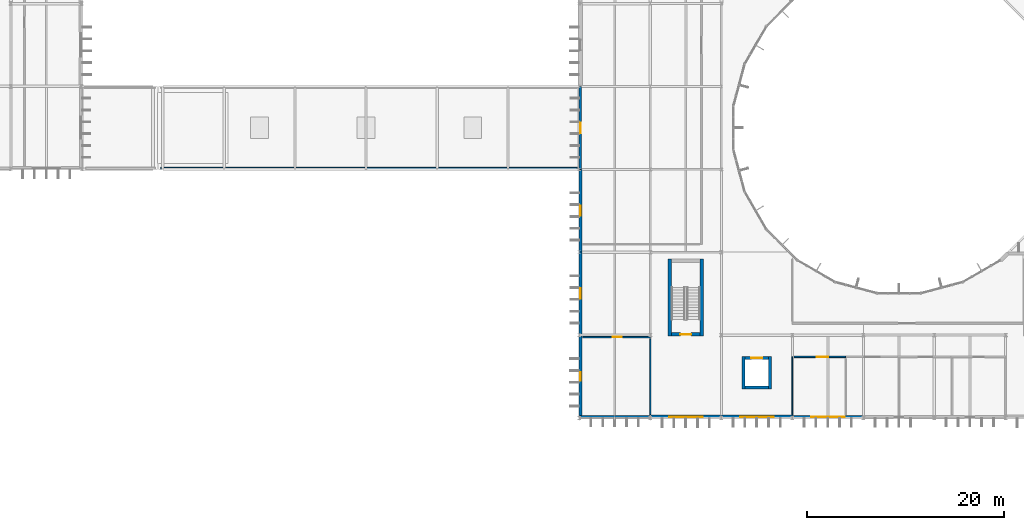
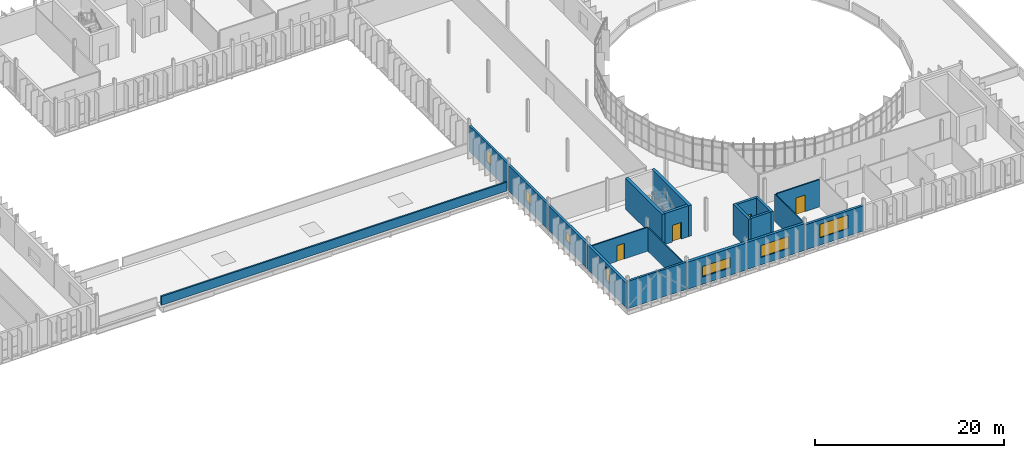
# One storey, part 43 of 61: 20 walls, 7 windows, 4 doors, 11 openings.
"""IFC4 building model written with IfcOpenShell, lengths in metres."""

from ifc_helpers import new_model, si_unit, direction, frame, frame_2d, origin, place, context, subcontext, project, spatial, rectangle, extrude, material, layer, layer_set, type_object, element, fill, save


model = new_model("IFC4")

# Units and contexts
model_context = context("Model", 3, precision=1e-05, world=origin(), true_north=direction((0.0, 1.0)))
body_context = subcontext(model_context, "Body", "Model", "MODEL_VIEW")
ifc_project = project(units=[si_unit("LENGTHUNIT", "METRE"), si_unit("AREAUNIT", "SQUARE_METRE"), si_unit("VOLUMEUNIT", "CUBIC_METRE"), si_unit("PLANEANGLEUNIT", "RADIAN"), si_unit("MASSUNIT", "GRAM", prefix="KILO")], contexts=[model_context])

# Site, building, storey
site_placement = place(None, origin())
site = spatial("IfcSite", under=ifc_project, at=site_placement, CompositionType="ELEMENT")
building_placement = place(site_placement, origin())
building = spatial("IfcBuilding", under=site, at=building_placement, Name="Qelthora Terrace Specialist Clinic", CompositionType="ELEMENT")
storey_placement = place(building_placement, frame((0.0, 0.0, 13.199951171875)))
storey = spatial("IfcBuildingStorey", under=building, at=storey_placement, Name="L03", CompositionType="ELEMENT", Elevation=13.199951171875)

# Walls
ifc_material_1 = material(Name="Concrete C40/50", Category="concrete")
ifc_layer_1 = layer(ifc_material_1, 0.300048828125)
ifc_layer_set_1 = layer_set([ifc_layer_1], Name="Concrete C40/50")
wall_type_1 = type_object("IfcWallType", Name="WAL-CORE-300-C40", PredefinedType="SHEAR", material=ifc_layer_set_1)
for number, where, z_axis, x_axis, name in (
    (1, (110.25, 36.550048828125, 0.0), (0.0, 0.0, 1.0), (0.0, 1.0, 0.0), "Lift PL-01 L03 west shaft wall"),
    (2, (112.949951171875, 36.550048828125, 0.0), (0.0, 0.0, 1.0), (0.0, 1.0, 0.0), "Lift PL-01 L03 east shaft wall"),
):
    element("IfcWall", number, at=place(storey_placement, frame(where, z_axis=z_axis, x_axis=x_axis)), inside=storey, type_object=wall_type_1, Name=name, PredefinedType="SHEAR", context=body_context, shape_type="SweptSolid", body=[
        extrude(rectangle(XDim=3.300048828125, YDim=0.300048828125, at=frame_2d((1.64990234375, 0.0))), origin(), (0.0, 0.0, 1.0), 3.989990234375),
    ])

# Wall, opening, door
wall_1_placement = place(storey_placement, frame((110.39990234375, 39.699951171875, 0.0), z_axis=(0.0, 0.0, 1.0), x_axis=(1.0, 0.0, 0.0)))
wall_1 = element("IfcWall", 3, at=wall_1_placement, inside=storey, type_object=wall_type_1, Name="Lift PL-01 L03 north shaft wall", PredefinedType="SHEAR", context=body_context, shape_type="SweptSolid", body=[
    extrude(rectangle(XDim=2.400146484375, YDim=0.300048828125, at=frame_2d((1.2001953125, 0.0))), origin(), (0.0, 0.0, 1.0), 3.989990234375),
])
opening_1_placement = place(wall_1_placement, frame((0.64990234375, 0.0, 0.0)))
opening_1 = element("IfcOpeningElement", 4, at=opening_1_placement, cuts=wall_1, Name="Opening LD-PL-01-L03", PredefinedType="OPENING", context=body_context, shape_type="SweptSolid", body=[
    extrude(rectangle(XDim=1.10009765625, YDim=2.14990234375, at=frame_2d((0.550048828125, 1.074951171875))), frame((0.0, 0.159912109375, 0.0), z_axis=(0.0, -1.0, 0.0), x_axis=(1.0, 0.0, 0.0)), (0.0, 0.0, 1.0), 0.320068359375),
])
ifc_material_2 = material(Name="Steel S355", Category="steel")
door_type_1 = type_object("IfcDoorType", Name="DOR-LIFT-1100X2150", OperationType="NOTDEFINED", PredefinedType="DOOR", material=ifc_material_2)
door_1_placement = place(opening_1_placement, origin())
door_1 = element("IfcDoor", 5, at=door_1_placement, inside=storey, type_object=door_type_1, Name="Lift landing sliding door LD-PL-01-L03", OperationType="DOUBLE_DOOR_SLIDING", OverallHeight=2.14990234375, OverallWidth=1.10009765625, PredefinedType="DOOR", context=body_context, shape_type="SweptSolid", body=[
    extrude(rectangle(XDim=1.10009765625, YDim=2.14990234375, at=frame_2d((0.550048828125, 1.074951171875))), frame((0.0, 0.02490234375, 0.0), z_axis=(0.0, -1.0, 0.0), x_axis=(1.0, 0.0, 0.0)), (0.0, 0.0, 1.0), 0.050048828125),
])
fill(opening_1, door_1)

# Walls
wall_2_placement = place(storey_placement, frame((110.39990234375, 36.699951171875, 0.0), z_axis=(0.0, 0.0, 1.0), x_axis=(1.0, 0.0, 0.0)))
element("IfcWall", 6, at=wall_2_placement, inside=storey, type_object=wall_type_1, Name="Lift PL-01 L03 south shaft wall", PredefinedType="SHEAR", context=body_context, shape_type="SweptSolid", body=[
    extrude(rectangle(XDim=2.400146484375, YDim=0.300048828125, at=frame_2d((1.2001953125, 0.0))), origin(), (0.0, 0.0, 1.0), 3.989990234375),
])
ifc_layer_2 = layer(ifc_material_1, 0.35009765625)
ifc_layer_set_2 = layer_set([ifc_layer_2], Name="Concrete C40/50")
wall_type_2 = type_object("IfcWallType", Name="WAL-CORE-350-C40", PredefinedType="SHEAR", material=ifc_layer_set_2)
for number, where, z_axis, x_axis, name in (
    (7, (102.77490234375, 41.89990234375, 0.0), (0.0, 0.0, 1.0), (0.0, 1.0, 0.0), "ST-05 L03 west shear core wall"),
    (8, (106.02490234375, 41.89990234375, 0.0), (0.0, 0.0, 1.0), (0.0, 1.0, 0.0), "ST-05 L03 east shear core wall"),
):
    element("IfcWall", number, at=place(storey_placement, frame(where, z_axis=z_axis, x_axis=x_axis)), inside=storey, type_object=wall_type_2, Name=name, PredefinedType="SHEAR", context=body_context, shape_type="SweptSolid", body=[
        extrude(rectangle(XDim=7.800048828125, YDim=0.35009765625, at=frame_2d((3.89990234375, 0.0))), origin(), (0.0, 0.0, 1.0), 3.989990234375),
    ])

# Wall, opening, door
wall_3_placement = place(storey_placement, frame((102.949951171875, 42.074951171875, 0.0), z_axis=(0.0, 0.0, 1.0), x_axis=(1.0, 0.0, 0.0)))
wall_3 = element("IfcWall", 9, at=wall_3_placement, inside=storey, type_object=wall_type_2, Name="ST-05 L03 south shear core wall", PredefinedType="SHEAR", context=body_context, shape_type="SweptSolid", body=[
    extrude(rectangle(XDim=2.900146484375, YDim=0.35009765625, at=frame_2d((1.4501953125, 0.0))), origin(), (0.0, 0.0, 1.0), 3.989990234375),
])
opening_2_placement = place(wall_3_placement, frame((0.89990234375, 0.0, 0.0)))
opening_2 = element("IfcOpeningElement", 10, at=opening_2_placement, cuts=wall_3, Name="Opening D-ST-05-L03", PredefinedType="OPENING", context=body_context, shape_type="SweptSolid", body=[
    extrude(rectangle(XDim=1.10009765625, YDim=2.14990234375, at=frame_2d((0.550048828125, 1.074951171875))), frame((0.0, 0.18505859375, 0.0), z_axis=(0.0, -1.0, 0.0), x_axis=(1.0, 0.0, 0.0)), (0.0, 0.0, 1.0), 0.3701171875),
])
door_type_2 = type_object("IfcDoorType", Name="DOR-STAIR-1100X2150", OperationType="NOTDEFINED", PredefinedType="DOOR", material=ifc_material_2)
door_2_placement = place(opening_2_placement, origin())
door_2 = element("IfcDoor", 11, at=door_2_placement, inside=storey, type_object=door_type_2, Name="Stair fire door D-ST-05-L03", OperationType="SINGLE_SWING_LEFT", OverallHeight=2.14990234375, OverallWidth=1.10009765625, PredefinedType="DOOR", context=body_context, shape_type="SweptSolid", body=[
    extrude(rectangle(XDim=1.10009765625, YDim=2.14990234375, at=frame_2d((0.550048828125, 1.074951171875))), frame((0.0, 0.02490234375, 0.0), z_axis=(0.0, -1.0, 0.0), x_axis=(1.0, 0.0, 0.0)), (0.0, 0.0, 1.0), 0.050048828125),
])
fill(opening_2, door_2)

# Wall
ifc_material_3 = material(Name="Precast concrete C40/50", Category="concrete")
ifc_layer_3 = layer(ifc_material_3, 0.260009765625)
ifc_layer_set_3 = layer_set([ifc_layer_3], Name="Precast concrete C40/50")
wall_type_3 = type_object("IfcWallType", Name="WAL-EXT-260-PC40", PredefinedType="SOLIDWALL", material=ifc_layer_set_3)
wall_4_placement = place(storey_placement, frame((93.60009765625, 33.719970703125, 0.0), z_axis=(0.0, 0.0, 1.0), x_axis=(1.0, 0.0, 0.0)))
element("IfcWall", 12, at=wall_4_placement, inside=storey, type_object=wall_type_3, Name="L03 external precast wall 289", PredefinedType="SOLIDWALL", context=body_context, shape_type="SweptSolid", body=[
    extrude(rectangle(XDim=7.199951171875, YDim=0.260009765625, at=frame_2d((3.60009765625, 0.0))), origin(), (0.0, 0.0, 1.0), 3.529052734375),
])

# Wall, opening, window
wall_5_placement = place(storey_placement, frame((93.719970703125, 58.800048828125, 0.0), z_axis=(0.0, 0.0, 1.0), x_axis=(0.0, 1.0, 0.0)))
wall_5 = element("IfcWall", 13, at=wall_5_placement, inside=storey, type_object=wall_type_3, Name="L03 external precast wall 299", PredefinedType="SOLIDWALL", context=body_context, shape_type="SweptSolid", body=[
    extrude(rectangle(XDim=8.39990234375, YDim=0.260009765625, at=frame_2d((4.199951171875, 0.0))), origin(), (0.0, 0.0, 1.0), 3.324951171875),
])
opening_3_placement = place(wall_5_placement, frame((3.675048828125, 0.0, 0.949951171875)))
opening_3 = element("IfcOpeningElement", 14, at=opening_3_placement, cuts=wall_5, Name="Opening WN-L03-259", PredefinedType="OPENING", context=body_context, shape_type="SweptSolid", body=[
    extrude(rectangle(XDim=1.050048828125, YDim=1.550048828125, at=frame_2d((0.52490234375, 0.77490234375))), frame((0.0, 0.139892578125, 0.0), z_axis=(0.0, -1.0, 0.0), x_axis=(1.0, 0.0, 0.0)), (0.0, 0.0, 1.0), 0.280029296875),
])
ifc_material_4 = material(Name="Low-E triple-silver insulating glass", Category="glass")
window_type_1 = type_object("IfcWindowType", Name="WIN-1050X1550", PartitioningType="SINGLE_PANEL", PredefinedType="WINDOW", material=ifc_material_4)
window_1_placement = place(opening_3_placement, origin())
window_1 = element("IfcWindow", 15, at=window_1_placement, inside=storey, type_object=window_type_1, Name="Clinical window WN-L03-259", OverallHeight=1.550048828125, OverallWidth=1.050048828125, PartitioningType="SINGLE_PANEL", PredefinedType="WINDOW", context=body_context, shape_type="SweptSolid", body=[
    extrude(rectangle(XDim=1.050048828125, YDim=1.550048828125, at=frame_2d((0.52490234375, 0.77490234375))), frame((0.0, 0.030029296875, 0.0), z_axis=(0.0, -1.0, 0.0), x_axis=(1.0, 0.0, 0.0)), (0.0, 0.0, 1.0), 0.06005859375),
])
fill(opening_3, window_1)

ifc_layer_4 = layer(ifc_material_3, 0.280029296875)
ifc_layer_set_4 = layer_set([ifc_layer_4], Name="Precast concrete C40/50")
wall_type_4 = type_object("IfcWallType", Name="WAL-EXT-280-PC40", PredefinedType="SOLIDWALL", material=ifc_layer_set_4)
wall_6_placement = place(storey_placement, frame((93.719970703125, 50.39990234375, 0.0), z_axis=(0.0, 0.0, 1.0), x_axis=(0.0, 1.0, 0.0)))
wall_6 = element("IfcWall", 16, at=wall_6_placement, inside=storey, type_object=wall_type_4, Name="L03 external precast wall 298", PredefinedType="SOLIDWALL", context=body_context, shape_type="SweptSolid", body=[
    extrude(rectangle(XDim=8.400146484375, YDim=0.280029296875, at=frame_2d((4.2001953125, 0.0))), origin(), (0.0, 0.0, 1.0), 3.2490234375),
])
opening_4_placement = place(wall_6_placement, frame((3.675048828125, 0.0, 0.949951171875)))
opening_4 = element("IfcOpeningElement", 17, at=opening_4_placement, cuts=wall_6, Name="Opening WN-L03-258", PredefinedType="OPENING", context=body_context, shape_type="SweptSolid", body=[
    extrude(rectangle(XDim=1.050048828125, YDim=1.35009765625, at=frame_2d((0.52490234375, 0.675048828125))), frame((0.0, 0.14990234375, 0.0), z_axis=(0.0, -1.0, 0.0), x_axis=(1.0, 0.0, 0.0)), (0.0, 0.0, 1.0), 0.300048828125),
])
window_type_2 = type_object("IfcWindowType", Name="WIN-1050X1350", PartitioningType="SINGLE_PANEL", PredefinedType="WINDOW", material=ifc_material_4)
window_2_placement = place(opening_4_placement, origin())
window_2 = element("IfcWindow", 18, at=window_2_placement, inside=storey, type_object=window_type_2, Name="Clinical window WN-L03-258", OverallHeight=1.35009765625, OverallWidth=1.050048828125, PartitioningType="SINGLE_PANEL", PredefinedType="WINDOW", context=body_context, shape_type="SweptSolid", body=[
    extrude(rectangle(XDim=1.050048828125, YDim=1.35009765625, at=frame_2d((0.52490234375, 0.675048828125))), frame((0.0, 0.030029296875, 0.0), z_axis=(0.0, -1.0, 0.0), x_axis=(1.0, 0.0, 0.0)), (0.0, 0.0, 1.0), 0.06005859375),
])
fill(opening_4, window_2)

ifc_layer_5 = layer(ifc_material_3, 0.300048828125)
ifc_layer_set_5 = layer_set([ifc_layer_5], Name="Precast concrete C40/50")
wall_type_5 = type_object("IfcWallType", Name="WAL-EXT-300-PC40", PredefinedType="SOLIDWALL", material=ifc_layer_set_5)
wall_7_placement = place(storey_placement, frame((115.199951171875, 33.719970703125, 0.0), z_axis=(0.0, 0.0, 1.0), x_axis=(1.0, 0.0, 0.0)))
wall_7 = element("IfcWall", 19, at=wall_7_placement, inside=storey, type_object=wall_type_5, Name="L03 external precast wall 292", PredefinedType="SOLIDWALL", context=body_context, shape_type="SweptSolid", body=[
    extrude(rectangle(XDim=7.199951171875, YDim=0.300048828125, at=frame_2d((3.60009765625, 0.0))), origin(), (0.0, 0.0, 1.0), 3.2490234375),
])
opening_5_placement = place(wall_7_placement, frame((1.89990234375, 0.0, 0.949951171875)))
opening_5 = element("IfcOpeningElement", 20, at=opening_5_placement, cuts=wall_7, Name="Opening WN-L03-252", PredefinedType="OPENING", context=body_context, shape_type="SweptSolid", body=[
    extrude(rectangle(XDim=3.39990234375, YDim=1.75, at=frame_2d((1.699951171875, 0.875))), frame((0.0, 0.159912109375, 0.0), z_axis=(0.0, -1.0, 0.0), x_axis=(1.0, 0.0, 0.0)), (0.0, 0.0, 1.0), 0.320068359375),
])
window_type_3 = type_object("IfcWindowType", Name="WIN-3400X1750", PartitioningType="DOUBLE_PANEL_VERTICAL", PredefinedType="WINDOW", material=ifc_material_4)
window_3_placement = place(opening_5_placement, origin())
window_3 = element("IfcWindow", 21, at=window_3_placement, inside=storey, type_object=window_type_3, Name="Clinical window WN-L03-252", OverallHeight=1.75, OverallWidth=3.39990234375, PartitioningType="SINGLE_PANEL", PredefinedType="WINDOW", context=body_context, shape_type="SweptSolid", body=[
    extrude(rectangle(XDim=3.39990234375, YDim=1.75, at=frame_2d((1.699951171875, 0.875))), frame((0.0, 0.030029296875, 0.0), z_axis=(0.0, -1.0, 0.0), x_axis=(1.0, 0.0, 0.0)), (0.0, 0.0, 1.0), 0.06005859375),
])
fill(opening_5, window_3)

wall_8_placement = place(storey_placement, frame((93.719970703125, 42.0, 0.0), z_axis=(0.0, 0.0, 1.0), x_axis=(0.0, 1.0, 0.0)))
wall_8 = element("IfcWall", 22, at=wall_8_placement, inside=storey, type_object=wall_type_5, Name="L03 external precast wall 297", PredefinedType="SOLIDWALL", context=body_context, shape_type="SweptSolid", body=[
    extrude(rectangle(XDim=8.39990234375, YDim=0.300048828125, at=frame_2d((4.199951171875, 0.0))), origin(), (0.0, 0.0, 1.0), 3.172119140625),
])
opening_6_placement = place(wall_8_placement, frame((3.675048828125, 0.0, 0.949951171875)))
opening_6 = element("IfcOpeningElement", 23, at=opening_6_placement, cuts=wall_8, Name="Opening WN-L03-257", PredefinedType="OPENING", context=body_context, shape_type="SweptSolid", body=[
    extrude(rectangle(XDim=1.050048828125, YDim=1.14990234375, at=frame_2d((0.52490234375, 0.574951171875))), frame((0.0, 0.159912109375, 0.0), z_axis=(0.0, -1.0, 0.0), x_axis=(1.0, 0.0, 0.0)), (0.0, 0.0, 1.0), 0.320068359375),
])
window_type_4 = type_object("IfcWindowType", Name="WIN-1050X1150", PartitioningType="SINGLE_PANEL", PredefinedType="WINDOW", material=ifc_material_4)
window_4_placement = place(opening_6_placement, origin())
window_4 = element("IfcWindow", 24, at=window_4_placement, inside=storey, type_object=window_type_4, Name="Clinical window WN-L03-257", OverallHeight=1.14990234375, OverallWidth=1.050048828125, PartitioningType="SINGLE_PANEL", PredefinedType="WINDOW", context=body_context, shape_type="SweptSolid", body=[
    extrude(rectangle(XDim=1.050048828125, YDim=1.14990234375, at=frame_2d((0.52490234375, 0.574951171875))), frame((0.0, 0.030029296875, 0.0), z_axis=(0.0, -1.0, 0.0), x_axis=(1.0, 0.0, 0.0)), (0.0, 0.0, 1.0), 0.06005859375),
])
fill(opening_6, window_4)

ifc_layer_6 = layer(ifc_material_3, 0.320068359375)
ifc_layer_set_6 = layer_set([ifc_layer_6], Name="Precast concrete C40/50")
wall_type_6 = type_object("IfcWallType", Name="WAL-EXT-320-PC40", PredefinedType="SOLIDWALL", material=ifc_layer_set_6)
wall_9_placement = place(storey_placement, frame((108.0, 33.719970703125, 0.0), z_axis=(0.0, 0.0, 1.0), x_axis=(1.0, 0.0, 0.0)))
wall_9 = element("IfcWall", 25, at=wall_9_placement, inside=storey, type_object=wall_type_6, Name="L03 external precast wall 291", PredefinedType="SOLIDWALL", context=body_context, shape_type="SweptSolid", body=[
    extrude(rectangle(XDim=7.199951171875, YDim=0.320068359375, at=frame_2d((3.60009765625, 0.0))), origin(), (0.0, 0.0, 1.0), 3.48193359375),
])
opening_7_placement = place(wall_9_placement, frame((1.89990234375, 0.0, 0.949951171875)))
opening_7 = element("IfcOpeningElement", 26, at=opening_7_placement, cuts=wall_9, Name="Opening WN-L03-251", PredefinedType="OPENING", context=body_context, shape_type="SweptSolid", body=[
    extrude(rectangle(XDim=3.39990234375, YDim=1.550048828125, at=frame_2d((1.699951171875, 0.77490234375))), frame((0.0, 0.169921875, 0.0), z_axis=(0.0, -1.0, 0.0), x_axis=(1.0, 0.0, 0.0)), (0.0, 0.0, 1.0), 0.340087890625),
])
window_type_5 = type_object("IfcWindowType", Name="WIN-3400X1550", PartitioningType="DOUBLE_PANEL_VERTICAL", PredefinedType="WINDOW", material=ifc_material_4)
window_5_placement = place(opening_7_placement, origin())
window_5 = element("IfcWindow", 27, at=window_5_placement, inside=storey, type_object=window_type_5, Name="Clinical window WN-L03-251", OverallHeight=1.550048828125, OverallWidth=3.39990234375, PartitioningType="SINGLE_PANEL", PredefinedType="WINDOW", context=body_context, shape_type="SweptSolid", body=[
    extrude(rectangle(XDim=3.39990234375, YDim=1.550048828125, at=frame_2d((1.699951171875, 0.77490234375))), frame((0.0, 0.030029296875, 0.0), z_axis=(0.0, -1.0, 0.0), x_axis=(1.0, 0.0, 0.0)), (0.0, 0.0, 1.0), 0.06005859375),
])
fill(opening_7, window_5)

wall_10_placement = place(storey_placement, frame((93.719970703125, 33.60009765625, 0.0), z_axis=(0.0, 0.0, 1.0), x_axis=(0.0, 1.0, 0.0)))
wall_10 = element("IfcWall", 28, at=wall_10_placement, inside=storey, type_object=wall_type_6, Name="L03 external precast wall 296", PredefinedType="SOLIDWALL", context=body_context, shape_type="SweptSolid", body=[
    extrude(rectangle(XDim=8.39990234375, YDim=0.320068359375, at=frame_2d((4.199951171875, 0.0))), origin(), (0.0, 0.0, 1.0), 3.172119140625),
])
opening_8_placement = place(wall_10_placement, frame((3.75, 0.0, 0.949951171875)))
opening_8 = element("IfcOpeningElement", 29, at=opening_8_placement, cuts=wall_10, Name="Opening WN-L03-256", PredefinedType="OPENING", context=body_context, shape_type="SweptSolid", body=[
    extrude(rectangle(XDim=0.89990234375, YDim=1.75, at=frame_2d((0.449951171875, 0.875))), frame((0.0, 0.169921875, 0.0), z_axis=(0.0, -1.0, 0.0), x_axis=(1.0, 0.0, 0.0)), (0.0, 0.0, 1.0), 0.340087890625),
])
window_type_6 = type_object("IfcWindowType", Name="WIN-900X1750", PartitioningType="SINGLE_PANEL", PredefinedType="WINDOW", material=ifc_material_4)
window_6_placement = place(opening_8_placement, origin())
window_6 = element("IfcWindow", 30, at=window_6_placement, inside=storey, type_object=window_type_6, Name="Clinical window WN-L03-256", OverallHeight=1.75, OverallWidth=0.89990234375, PartitioningType="SINGLE_PANEL", PredefinedType="WINDOW", context=body_context, shape_type="SweptSolid", body=[
    extrude(rectangle(XDim=0.89990234375, YDim=1.75, at=frame_2d((0.449951171875, 0.875))), frame((0.0, 0.030029296875, 0.0), z_axis=(0.0, -1.0, 0.0), x_axis=(1.0, 0.0, 0.0)), (0.0, 0.0, 1.0), 0.06005859375),
])
fill(opening_8, window_6)

ifc_layer_7 = layer(ifc_material_3, 0.3798828125)
ifc_layer_set_7 = layer_set([ifc_layer_7], Name="Precast concrete C40/50")
wall_type_7 = type_object("IfcWallType", Name="WAL-EXT-380-PC40", PredefinedType="SOLIDWALL", material=ifc_layer_set_7)
wall_11_placement = place(storey_placement, frame((100.800048828125, 33.719970703125, 0.0), z_axis=(0.0, 0.0, 1.0), x_axis=(1.0, 0.0, 0.0)))
wall_11 = element("IfcWall", 31, at=wall_11_placement, inside=storey, type_object=wall_type_7, Name="L03 external precast wall 290", PredefinedType="SOLIDWALL", context=body_context, shape_type="SweptSolid", body=[
    extrude(rectangle(XDim=7.199951171875, YDim=0.3798828125, at=frame_2d((3.60009765625, 0.0))), origin(), (0.0, 0.0, 1.0), 3.48193359375),
])
opening_9_placement = place(wall_11_placement, frame((1.89990234375, 0.0, 0.949951171875)))
opening_9 = element("IfcOpeningElement", 32, at=opening_9_placement, cuts=wall_11, Name="Opening WN-L03-250", PredefinedType="OPENING", context=body_context, shape_type="SweptSolid", body=[
    extrude(rectangle(XDim=3.39990234375, YDim=1.35009765625, at=frame_2d((1.699951171875, 0.675048828125))), frame((0.0, 0.199951171875, 0.0), z_axis=(0.0, -1.0, 0.0), x_axis=(1.0, 0.0, 0.0)), (0.0, 0.0, 1.0), 0.39990234375),
])
window_type_7 = type_object("IfcWindowType", Name="WIN-3400X1350", PartitioningType="DOUBLE_PANEL_VERTICAL", PredefinedType="WINDOW", material=ifc_material_4)
window_7_placement = place(opening_9_placement, origin())
window_7 = element("IfcWindow", 33, at=window_7_placement, inside=storey, type_object=window_type_7, Name="Clinical window WN-L03-250", OverallHeight=1.35009765625, OverallWidth=3.39990234375, PartitioningType="SINGLE_PANEL", PredefinedType="WINDOW", context=body_context, shape_type="SweptSolid", body=[
    extrude(rectangle(XDim=3.39990234375, YDim=1.35009765625, at=frame_2d((1.699951171875, 0.675048828125))), frame((0.0, 0.030029296875, 0.0), z_axis=(0.0, -1.0, 0.0), x_axis=(1.0, 0.0, 0.0)), (0.0, 0.0, 1.0), 0.06005859375),
])
fill(opening_9, window_7)

# Wall, opening, door
ifc_material_5 = material(Name="Gypsum fire-rated wallboard", Category="gypsum")
ifc_layer_8 = layer(ifc_material_5, 0.159912109375)
ifc_layer_set_8 = layer_set([ifc_layer_8], Name="Gypsum fire-rated wallboard")
wall_type_8 = type_object("IfcWallType", Name="WAL-INT-COR-160", PredefinedType="PARTITIONING", material=ifc_layer_set_8)
wall_12_placement = place(storey_placement, frame((115.3798828125, 39.800048828125, 0.0), z_axis=(0.0, 0.0, 1.0), x_axis=(1.0, 0.0, 0.0)))
wall_12 = element("IfcWall", 34, at=wall_12_placement, inside=storey, type_object=wall_type_8, Name="Interior clinical partition IWAL-L03-0320", PredefinedType="PARTITIONING", context=body_context, shape_type="SweptSolid", body=[
    extrude(rectangle(XDim=5.22021484375, YDim=0.159912109375, at=frame_2d((2.610107421875, 0.0))), origin(), (0.0, 0.0, 1.0), 3.531982421875),
])
opening_10_placement = place(wall_12_placement, frame((2.304931640625, 0.0, 0.0)))
opening_10 = element("IfcOpeningElement", 35, at=opening_10_placement, cuts=wall_12, Name="Opening DI-L03-0127", PredefinedType="OPENING", context=body_context, shape_type="SweptSolid", body=[
    extrude(rectangle(XDim=1.14990234375, YDim=2.14990234375, at=frame_2d((0.574951171875, 1.074951171875))), frame((0.0, 0.08984375, 0.0), z_axis=(0.0, -1.0, 0.0), x_axis=(1.0, 0.0, 0.0)), (0.0, 0.0, 1.0), 0.179931640625),
])
ifc_material_6 = material(Name="Aluminium anodized bronze", Category="aluminium")
door_type_3 = type_object("IfcDoorType", Name="DOR-CLN-1150X2150", OperationType="NOTDEFINED", PredefinedType="DOOR", material=ifc_material_6)
door_3_placement = place(opening_10_placement, frame((1.14990234375, 0.0, 0.0), z_axis=(0.0, 0.0, 1.0), x_axis=(-1.0, 0.0, 0.0)))
door_3 = element("IfcDoor", 36, at=door_3_placement, inside=storey, type_object=door_type_3, Name="Interior clinical door DI-L03-0127", OperationType="SINGLE_SWING_RIGHT", OverallHeight=2.14990234375, OverallWidth=1.14990234375, PredefinedType="DOOR", context=body_context, shape_type="SweptSolid", body=[
    extrude(rectangle(XDim=1.14990234375, YDim=2.14990234375, at=frame_2d((0.574951171875, 1.074951171875))), frame((0.0, 0.02490234375, 0.0), z_axis=(0.0, -1.0, 0.0), x_axis=(1.0, 0.0, 0.0)), (0.0, 0.0, 1.0), 0.050048828125),
])
fill(opening_10, door_3)

wall_13_placement = place(storey_placement, frame((93.93994140625, 41.800048828125, 0.0), z_axis=(0.0, 0.0, 1.0), x_axis=(1.0, 0.0, 0.0)))
wall_13 = element("IfcWall", 37, at=wall_13_placement, inside=storey, type_object=wall_type_8, Name="Interior clinical partition IWAL-L03-0328", PredefinedType="PARTITIONING", context=body_context, shape_type="SweptSolid", body=[
    extrude(rectangle(XDim=6.860107421875, YDim=0.159912109375, at=frame_2d((3.43017578125, 0.0))), origin(), (0.0, 0.0, 1.0), 3.093994140625),
])
opening_11_placement = place(wall_13_placement, frame((3.050048828125, 0.0, 0.0)))
opening_11 = element("IfcOpeningElement", 38, at=opening_11_placement, cuts=wall_13, Name="Opening DI-L03-0131", PredefinedType="OPENING", context=body_context, shape_type="SweptSolid", body=[
    extrude(rectangle(XDim=0.89990234375, YDim=2.0400390625, at=frame_2d((0.449951171875, 1.02001953125))), frame((0.0, 0.08984375, 0.0), z_axis=(0.0, -1.0, 0.0), x_axis=(1.0, 0.0, 0.0)), (0.0, 0.0, 1.0), 0.179931640625),
])
ifc_material_7 = material(Name="Glulam timber GL28h", Category="wood")
door_type_4 = type_object("IfcDoorType", Name="DOR-ENS-900X2040", OperationType="NOTDEFINED", PredefinedType="DOOR", material=ifc_material_7)
door_4_placement = place(opening_11_placement, frame((0.89990234375, 0.0, 0.0), z_axis=(0.0, 0.0, 1.0), x_axis=(-1.0, 0.0, 0.0)))
door_4 = element("IfcDoor", 39, at=door_4_placement, inside=storey, type_object=door_type_4, Name="Interior clinical door DI-L03-0131", OperationType="SINGLE_SWING_RIGHT", OverallHeight=2.0400390625, OverallWidth=0.89990234375, PredefinedType="DOOR", context=body_context, shape_type="SweptSolid", body=[
    extrude(rectangle(XDim=0.89990234375, YDim=2.0400390625, at=frame_2d((0.449951171875, 1.02001953125))), frame((0.0, 0.02490234375, 0.0), z_axis=(0.0, -1.0, 0.0), x_axis=(1.0, 0.0, 0.0)), (0.0, 0.0, 1.0), 0.050048828125),
])
fill(opening_11, door_4)

# Walls
ifc_material_8 = material(Name="Gypsum acoustic wallboard", Category="gypsum")
ifc_layer_9 = layer(ifc_material_8, 0.1201171875)
ifc_layer_set_9 = layer_set([ifc_layer_9], Name="Gypsum acoustic wallboard")
wall_type_9 = type_object("IfcWallType", Name="WAL-INT-STD-120", PredefinedType="PARTITIONING", material=ifc_layer_set_9)
wall_14_placement = place(storey_placement, frame((115.199951171875, 33.93994140625, 0.0), z_axis=(0.0, 0.0, 1.0), x_axis=(0.0, 1.0, 0.0)))
element("IfcWall", 40, at=wall_14_placement, inside=storey, type_object=wall_type_9, Name="Interior clinical partition IWAL-L03-0319", PredefinedType="PARTITIONING", context=body_context, shape_type="SweptSolid", body=[
    extrude(rectangle(XDim=5.860107421875, YDim=0.1201171875, at=frame_2d((2.93017578125, 0.0))), origin(), (0.0, 0.0, 1.0), 3.531982421875),
])
wall_15_placement = place(storey_placement, frame((100.800048828125, 41.6201171875, 0.0), z_axis=(0.0, 0.0, 1.0), x_axis=(0.0, -1.0, 0.0)))
element("IfcWall", 41, at=wall_15_placement, inside=storey, type_object=wall_type_9, Name="Interior clinical partition IWAL-L03-0329", PredefinedType="PARTITIONING", context=body_context, shape_type="SweptSolid", body=[
    extrude(rectangle(XDim=7.68017578125, YDim=0.1201171875, at=frame_2d((3.840087890625, 0.0))), origin(), (0.0, 0.0, 1.0), 3.093994140625),
])
ifc_layer_10 = layer(ifc_material_3, 0.18994140625)
ifc_layer_set_10 = layer_set([ifc_layer_10], Name="Precast concrete C40/50")
wall_type_10 = type_object("IfcWallType", Name="WAL-PAR-190-PC40", PredefinedType="PARAPET", material=ifc_layer_set_10)
wall_16_placement = place(storey_placement, frame((93.3798828125, 58.909912109375, 0.0), z_axis=(0.0, 0.0, 1.0), x_axis=(-1.0, 0.0, 0.0)))
element("IfcWall", 42, at=wall_16_placement, inside=storey, type_object=wall_type_10, Name="Roof perimeter parapet ROOF-V7-BRG-1-1", PredefinedType="PARAPET", context=body_context, shape_type="SweptSolid", body=[
    extrude(rectangle(XDim=42.2099609375, YDim=0.18994140625, at=frame_2d((21.10498046875, 0.0))), origin(), (0.0, 0.0, 1.0), 1.150146484375),
])

save(model, "model.ifc")
